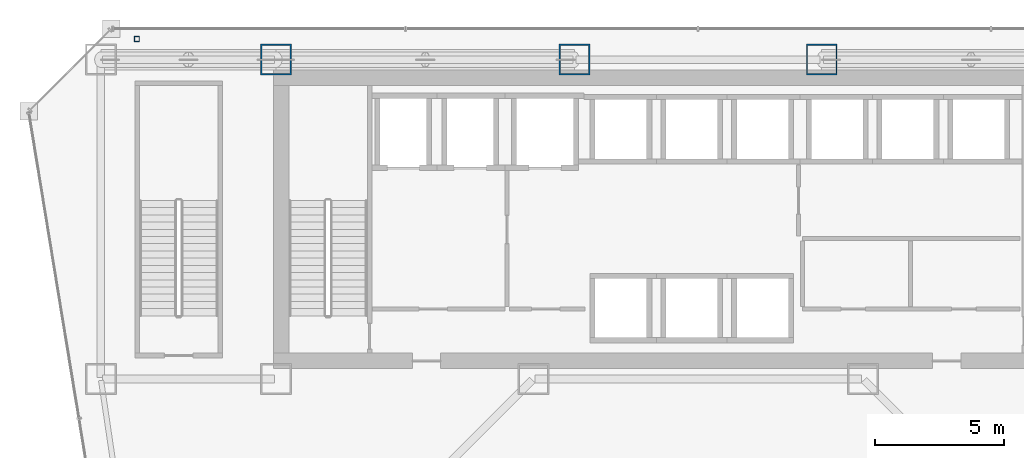
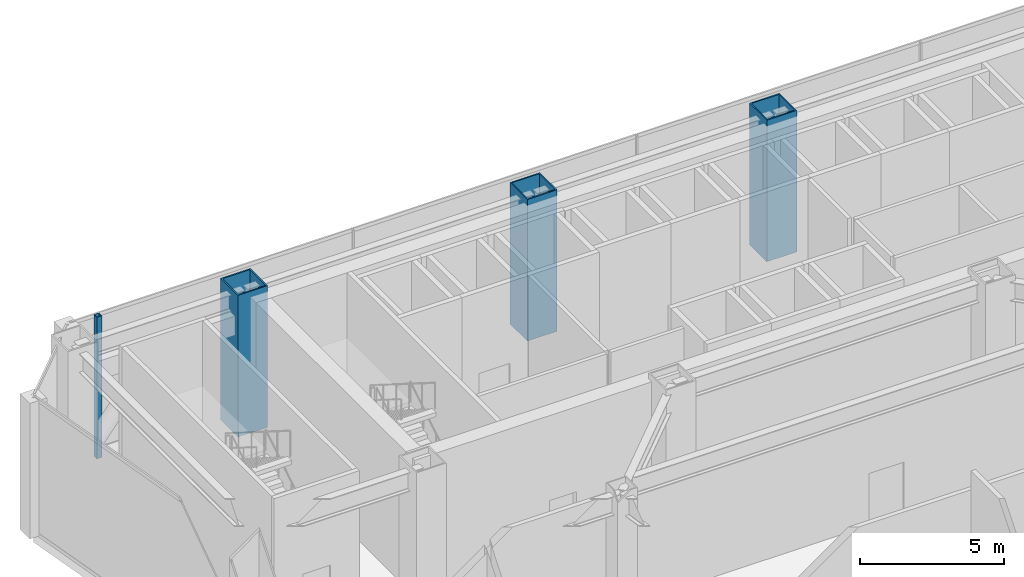
# One storey, part 2 of 35: 4 columns.
"""IFC4 building model written with IfcOpenShell, lengths in metres."""

from ifc_helpers import new_model, si_unit, direction, frame, origin, origin_2d, place, context, subcontext, project, spatial, hollow_rectangle, extrude, material, material_profile, profile_set, type_object, element, save


model = new_model("IFC4")

# Units and contexts
model_context = context("Model", 3, precision=1e-05, world=origin(), true_north=direction((0.0, 1.0)))
body_context = subcontext(model_context, "Body", "Model", "MODEL_VIEW")
ifc_project = project(units=[si_unit("LENGTHUNIT", "METRE"), si_unit("AREAUNIT", "SQUARE_METRE"), si_unit("VOLUMEUNIT", "CUBIC_METRE"), si_unit("PLANEANGLEUNIT", "RADIAN"), si_unit("MASSUNIT", "GRAM", prefix="KILO")], contexts=[model_context])

# Site, building, storey
site_placement = place(None, origin())
site = spatial("IfcSite", under=ifc_project, at=site_placement, CompositionType="ELEMENT")
building_placement = place(site_placement, origin())
building = spatial("IfcBuilding", under=site, at=building_placement, Name="Saevonmaru Cultural Tower", CompositionType="ELEMENT")
storey_placement = place(building_placement, frame((0.0, 0.0, 86.800048828125)))
storey = spatial("IfcBuildingStorey", under=building, at=storey_placement, Name="L18", CompositionType="ELEMENT", Elevation=86.800048828125)

# Columns
ifc_material_1 = material(Name="Steel HSA600 (600 MPa)", Category="steel")
ifc_material_profile_1 = material_profile(ifc_material_1, hollow_rectangle(XDim=1.199951171875, YDim=1.199951171875, WallThickness=0.054931640625, at=origin_2d()), Name="BOX-1200x1200x55")
ifc_profile_set_1 = profile_set([ifc_material_profile_1], Name="Steel HSA600 (600 MPa)")
column_type_1 = type_object("IfcColumnType", Name="COL-BOX-1200", PredefinedType="COLUMN", material=ifc_profile_set_1)
for number, where, z_axis, x_axis, name in (
    (1, (13.60009765625, 54.800048828125, 0.0), (0.0, 0.0, 1.0), (1.0, 0.0, 0.0), "L18 Column TC-N2N"),
    (2, (25.199951171875, 54.800048828125, 0.0), (0.0, 0.0, 1.0), (1.0, 0.0, 0.0), "L18 Column TC-N3N"),
    (3, (34.800048828125, 54.800048828125, 0.0), (0.0, 0.0, 1.0), (1.0, 0.0, 0.0), "L18 Column TC-N4N"),
):
    element("IfcColumn", number, at=place(storey_placement, frame(where, z_axis=z_axis, x_axis=x_axis)), inside=storey, type_object=column_type_1, Name=name, PredefinedType="COLUMN", context=body_context, shape_type="SweptSolid", body=[
        extrude(hollow_rectangle(XDim=1.199951171875, YDim=1.199951171875, WallThickness=0.054931640625, at=origin_2d()), origin(), (0.0, 0.0, 1.0), 6.0),
    ])
ifc_material_2 = material(Name="Steel SM355", Category="steel")
ifc_material_profile_2 = material_profile(ifc_material_2, hollow_rectangle(XDim=0.199951171875, YDim=0.199951171875, WallThickness=0.010009765625, at=origin_2d()), Name="SHS-200x200x10")
ifc_profile_set_2 = profile_set([ifc_material_profile_2], Name="Steel SM355")
column_type_2 = type_object("IfcColumnType", Name="PIL-SHS-200", PredefinedType="PILASTER", material=ifc_profile_set_2)
column_placement = place(storey_placement, frame((8.199951171875, 55.60009765625, 0.0), z_axis=(0.0, 0.0, 1.0), x_axis=(1.0, 0.0, 0.0)))
element("IfcColumn", 4, at=column_placement, inside=storey, type_object=column_type_2, Name="L18 Art Deco Bronze-Clad Pilaster PIL-NW", PredefinedType="PILASTER", context=body_context, shape_type="SweptSolid", body=[
    extrude(hollow_rectangle(XDim=0.199951171875, YDim=0.199951171875, WallThickness=0.010009765625, at=origin_2d()), origin(), (0.0, 0.0, 1.0), 6.0),
])

save(model, "model.ifc")
